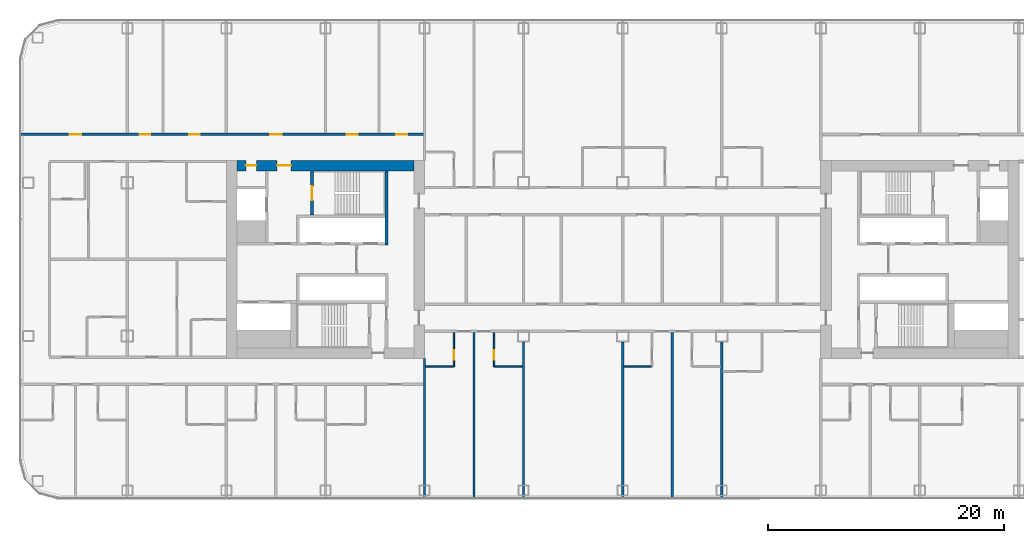
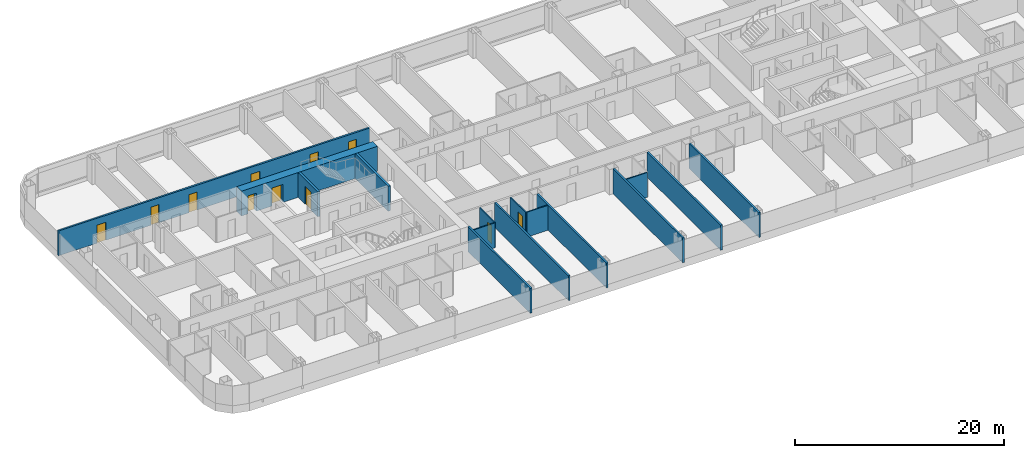
# One storey, part 15 of 29: 15 walls, 11 doors, 11 openings.
"""IFC4 building model written with IfcOpenShell, lengths in metres."""

from ifc_helpers import new_model, si_unit, direction, frame, frame_2d, origin, place, context, subcontext, project, spatial, rectangle, extrude, material, layer, layer_set, type_object, element, fill, save


model = new_model("IFC4")

# Units and contexts
model_context = context("Model", 3, precision=1e-05, world=origin(), true_north=direction((0.0, 1.0)))
body_context = subcontext(model_context, "Body", "Model", "MODEL_VIEW")
ifc_project = project(units=[si_unit("LENGTHUNIT", "METRE"), si_unit("AREAUNIT", "SQUARE_METRE"), si_unit("VOLUMEUNIT", "CUBIC_METRE"), si_unit("PLANEANGLEUNIT", "RADIAN"), si_unit("MASSUNIT", "GRAM", prefix="KILO")], contexts=[model_context])

# Site, building, storey
site_placement = place(None, origin())
site = spatial("IfcSite", under=ifc_project, at=site_placement, CompositionType="ELEMENT")
building_placement = place(site_placement, origin())
building = spatial("IfcBuilding", under=site, at=building_placement, Name="Hakoniwa Tower and Hamabe Station Hall", CompositionType="ELEMENT")
storey_placement = place(building_placement, frame((0.0, 0.0, 61.39990234375)))
storey = spatial("IfcBuildingStorey", under=building, at=storey_placement, Name="L17", CompositionType="ELEMENT", Elevation=61.39990234375)

# Walls
ifc_material_1 = material(Name="Gypsum board partition", Category="gypsum")
ifc_layer_1 = layer(ifc_material_1, 0.125)
ifc_layer_set_1 = layer_set([ifc_layer_1], Name="Bathroom Partition 125")
wall_type_1 = type_object("IfcWallType", Name="Bathroom Partition 125", PredefinedType="PARTITIONING", material=ifc_layer_set_1)
for number, where, z_axis, x_axis, name in (
    (1, (-16.699951171875, -9.10009765625, 0.0), (0.0, 0.0, 1.0), (1.0, 0.0, 0.0), "GW-L17-016"),
    (2, (-10.83740234375, -9.10009765625, 0.0), (0.0, 0.0, 1.0), (1.0, 0.0, 0.0), "GW-L17-017"),
    (3, (0.10009765625, -9.10009765625, 0.0), (0.0, 0.0, 1.0), (1.0, 0.0, 0.0), "GW-L17-018"),
):
    element("IfcWall", number, at=place(storey_placement, frame(where, z_axis=z_axis, x_axis=x_axis)), inside=storey, type_object=wall_type_1, Name=name, PredefinedType="PARTITIONING", context=body_context, shape_type="SweptSolid", body=[
        extrude(rectangle(XDim=2.33740234375, YDim=0.125, at=frame_2d((1.168701171875, 0.0))), origin(), (0.0, 0.0, 1.0), 2.900146484375),
    ])

# Wall, opening, door
wall_1_placement = place(storey_placement, frame((-14.300048828125, -9.10009765625, 0.0), z_axis=(0.0, 0.0, 1.0), x_axis=(0.0, 1.0, 0.0)))
wall_1 = element("IfcWall", 4, at=wall_1_placement, inside=storey, type_object=wall_type_1, Name="GW-L17-070", PredefinedType="PARTITIONING", context=body_context, shape_type="SweptSolid", body=[
    extrude(rectangle(XDim=2.900146484375, YDim=0.125, at=frame_2d((1.4501953125, 0.0))), origin(), (0.0, 0.0, 1.0), 2.900146484375),
])
opening_1_placement = place(wall_1_placement, frame((0.60009765625, 0.0, 0.0)))
opening_1 = element("IfcOpeningElement", 5, at=opening_1_placement, cuts=wall_1, Name="Opening GD-G1D2-69", PredefinedType="OPENING", context=body_context, shape_type="SweptSolid", body=[
    extrude(rectangle(XDim=0.800048828125, YDim=2.10009765625, at=frame_2d((0.39990234375, 1.050048828125))), frame((0.0, 0.072509765625, 0.0), z_axis=(0.0, -1.0, 0.0), x_axis=(1.0, 0.0, 0.0)), (0.0, 0.0, 1.0), 0.14501953125),
])
ifc_material_2 = material(Name="Timber door leaf", Category="wood")
door_type_1 = type_object("IfcDoorType", Name="Bathroom Door 800", OperationType="SINGLE_SWING_LEFT", PredefinedType="DOOR", material=ifc_material_2)
door_1_placement = place(opening_1_placement, origin())
door_1 = element("IfcDoor", 6, at=door_1_placement, inside=storey, type_object=door_type_1, Name="Door GD-G1D2-69", OperationType="SINGLE_SWING_RIGHT", OverallHeight=2.10009765625, OverallWidth=0.800048828125, PredefinedType="DOOR", context=body_context, shape_type="SweptSolid", body=[
    extrude(rectangle(XDim=0.800048828125, YDim=2.10009765625, at=frame_2d((0.39990234375, 1.050048828125))), frame((0.0, 0.02490234375, 0.0), z_axis=(0.0, -1.0, 0.0), x_axis=(1.0, 0.0, 0.0)), (0.0, 0.0, 1.0), 0.050048828125),
])
fill(opening_1, door_1)

wall_2_placement = place(storey_placement, frame((-10.89990234375, -9.10009765625, 0.0), z_axis=(0.0, 0.0, 1.0), x_axis=(0.0, 1.0, 0.0)))
wall_2 = element("IfcWall", 7, at=wall_2_placement, inside=storey, type_object=wall_type_1, Name="GW-L17-075", PredefinedType="PARTITIONING", context=body_context, shape_type="SweptSolid", body=[
    extrude(rectangle(XDim=2.900146484375, YDim=0.125, at=frame_2d((1.4501953125, 0.0))), origin(), (0.0, 0.0, 1.0), 2.900146484375),
])
opening_2_placement = place(wall_2_placement, frame((0.60009765625, 0.0, 0.0)))
opening_2 = element("IfcOpeningElement", 8, at=opening_2_placement, cuts=wall_2, Name="Opening GD-G1D2-71", PredefinedType="OPENING", context=body_context, shape_type="SweptSolid", body=[
    extrude(rectangle(XDim=0.800048828125, YDim=2.10009765625, at=frame_2d((0.39990234375, 1.050048828125))), frame((0.0, 0.072509765625, 0.0), z_axis=(0.0, -1.0, 0.0), x_axis=(1.0, 0.0, 0.0)), (0.0, 0.0, 1.0), 0.14501953125),
])
door_2_placement = place(opening_2_placement, origin())
door_2 = element("IfcDoor", 9, at=door_2_placement, inside=storey, type_object=door_type_1, Name="Door GD-G1D2-71", OperationType="SINGLE_SWING_LEFT", OverallHeight=2.10009765625, OverallWidth=0.800048828125, PredefinedType="DOOR", context=body_context, shape_type="SweptSolid", body=[
    extrude(rectangle(XDim=0.800048828125, YDim=2.10009765625, at=frame_2d((0.39990234375, 1.050048828125))), frame((0.0, 0.02490234375, 0.0), z_axis=(0.0, -1.0, 0.0), x_axis=(1.0, 0.0, 0.0)), (0.0, 0.0, 1.0), 0.050048828125),
])
fill(opening_2, door_2)

# Wall, openings, doors
ifc_material_3 = material(Name="Concrete C80", Category="concrete")
ifc_layer_2 = layer(ifc_material_3, 0.89990234375)
ifc_layer_set_2 = layer_set([ifc_layer_2], Name="CORE WALL 900 C80")
wall_type_2 = type_object("IfcWallType", Name="CORE WALL 900 C80", PredefinedType="SHEAR", material=ifc_layer_set_2)
wall_3_placement = place(storey_placement, frame((-32.699951171875, 7.949951171875, 0.0), z_axis=(0.0, 0.0, 1.0), x_axis=(1.0, 0.0, 0.0)))
wall_3 = element("IfcWall", 10, at=wall_3_placement, inside=storey, type_object=wall_type_2, Name="Core wall NORTH west", PredefinedType="SHEAR", context=body_context, shape_type="SweptSolid", body=[
    extrude(rectangle(XDim=15.0, YDim=0.89990234375, at=frame_2d((7.5, 0.0))), origin(), (0.0, 0.0, 1.0), 2.900146484375),
])
opening_3_placement = place(wall_3_placement, frame((3.39990234375, 0.0, 0.0)))
opening_3 = element("IfcOpeningElement", 11, at=opening_3_placement, cuts=wall_3, Name="Opening CD-W-FN1-12", PredefinedType="OPENING", context=body_context, shape_type="SweptSolid", body=[
    extrude(rectangle(XDim=1.199951171875, YDim=2.10009765625, at=frame_2d((0.60009765625, 1.050048828125))), frame((0.0, 0.4599609375, 0.0), z_axis=(0.0, -1.0, 0.0), x_axis=(1.0, 0.0, 0.0)), (0.0, 0.0, 1.0), 0.919921875),
])
opening_4_placement = place(wall_3_placement, frame((0.75, 0.0, 0.0)))
opening_4 = element("IfcOpeningElement", 12, at=opening_4_placement, cuts=wall_3, Name="Opening CD-W-FN2-9", PredefinedType="OPENING", context=body_context, shape_type="SweptSolid", body=[
    extrude(rectangle(XDim=0.89990234375, YDim=2.10009765625, at=frame_2d((0.449951171875, 1.050048828125))), frame((0.0, 0.4599609375, 0.0), z_axis=(0.0, -1.0, 0.0), x_axis=(1.0, 0.0, 0.0)), (0.0, 0.0, 1.0), 0.919921875),
])
ifc_material_4 = material(Name="Steel fire door", Category="steel")
door_type_2 = type_object("IfcDoorType", Name="CORE DOOR 1200 FD60", OperationType="DOUBLE_DOOR_SINGLE_SWING", PredefinedType="DOOR", material=ifc_material_4)
door_3_placement = place(opening_3_placement, origin())
door_3 = element("IfcDoor", 13, at=door_3_placement, inside=storey, type_object=door_type_2, Name="Stair vestibule door to the fire-fighting lobby", OperationType="DOUBLE_DOOR_SINGLE_SWING", OverallHeight=2.10009765625, OverallWidth=1.199951171875, PredefinedType="DOOR", context=body_context, shape_type="SweptSolid", body=[
    extrude(rectangle(XDim=1.199951171875, YDim=2.10009765625, at=frame_2d((0.60009765625, 1.050048828125))), frame((0.0, 0.02490234375, 0.0), z_axis=(0.0, -1.0, 0.0), x_axis=(1.0, 0.0, 0.0)), (0.0, 0.0, 1.0), 0.050048828125),
])
fill(opening_3, door_3)
ifc_material_5 = material(Name="Steel fire door", Category="steel")
door_type_3 = type_object("IfcDoorType", Name="CORE DOOR 900 FD30", OperationType="NOTDEFINED", PredefinedType="DOOR", material=ifc_material_5)
door_4_placement = place(opening_4_placement, origin())
door_4 = element("IfcDoor", 14, at=door_4_placement, inside=storey, type_object=door_type_3, Name="Riser access door", OperationType="SINGLE_SWING_LEFT", OverallHeight=2.10009765625, OverallWidth=0.89990234375, PredefinedType="DOOR", context=body_context, shape_type="SweptSolid", body=[
    extrude(rectangle(XDim=0.89990234375, YDim=2.10009765625, at=frame_2d((0.449951171875, 1.050048828125))), frame((0.0, 0.02490234375, 0.0), z_axis=(0.0, -1.0, 0.0), x_axis=(1.0, 0.0, 0.0)), (0.0, 0.0, 1.0), 0.050048828125),
])
fill(opening_4, door_4)

# Wall
ifc_material_6 = material(Name="Concrete C80", Category="concrete")
ifc_layer_3 = layer(ifc_material_6, 0.25)
ifc_layer_set_3 = layer_set([ifc_layer_3], Name="CORE WEB WALL 250 C80")
wall_type_3 = type_object("IfcWallType", Name="CORE WEB WALL 250 C80", PredefinedType="SHEAR", material=ifc_layer_set_3)
wall_4_placement = place(storey_placement, frame((-20.02490234375, 1.199951171875, 0.0), z_axis=(0.0, 0.0, 1.0), x_axis=(0.0, 1.0, 0.0)))
element("IfcWall", 15, at=wall_4_placement, inside=storey, type_object=wall_type_3, Name="Core wall W1N west", PredefinedType="SHEAR", context=body_context, shape_type="SweptSolid", body=[
    extrude(rectangle(XDim=6.300048828125, YDim=0.25, at=frame_2d((3.14990234375, 0.0))), origin(), (0.0, 0.0, 1.0), 2.900146484375),
])

# Wall, opening, door
wall_5_placement = place(storey_placement, frame((-26.324951171875, 3.75, 0.0), z_axis=(0.0, 0.0, 1.0), x_axis=(0.0, 1.0, 0.0)))
wall_5 = element("IfcWall", 16, at=wall_5_placement, inside=storey, type_object=wall_type_3, Name="Core wall NSE west", PredefinedType="SHEAR", context=body_context, shape_type="SweptSolid", body=[
    extrude(rectangle(XDim=3.75, YDim=0.25, at=frame_2d((1.875, 0.0))), origin(), (0.0, 0.0, 1.0), 2.900146484375),
])
opening_5_placement = place(wall_5_placement, frame((1.25, 0.0, 0.0)))
opening_5 = element("IfcOpeningElement", 17, at=opening_5_placement, cuts=wall_5, Name="Opening CD-W-SN-12", PredefinedType="OPENING", context=body_context, shape_type="SweptSolid", body=[
    extrude(rectangle(XDim=1.199951171875, YDim=2.10009765625, at=frame_2d((0.60009765625, 1.050048828125))), frame((0.0, 0.135009765625, 0.0), z_axis=(0.0, -1.0, 0.0), x_axis=(1.0, 0.0, 0.0)), (0.0, 0.0, 1.0), 0.27001953125),
])
door_5_placement = place(opening_5_placement, origin())
door_5 = element("IfcDoor", 18, at=door_5_placement, inside=storey, type_object=door_type_2, Name="Escape stair door", OperationType="DOUBLE_DOOR_SINGLE_SWING", OverallHeight=2.10009765625, OverallWidth=1.199951171875, PredefinedType="DOOR", context=body_context, shape_type="SweptSolid", body=[
    extrude(rectangle(XDim=1.199951171875, YDim=2.10009765625, at=frame_2d((0.60009765625, 1.050048828125))), frame((0.0, 0.02490234375, 0.0), z_axis=(0.0, -1.0, 0.0), x_axis=(1.0, 0.0, 0.0)), (0.0, 0.0, 1.0), 0.050048828125),
])
fill(opening_5, door_5)

# Wall, openings, doors
ifc_material_7 = material(Name="Fire-rated gypsum board partition", Category="gypsum")
ifc_layer_4 = layer(ifc_material_7, 0.199951171875)
ifc_layer_set_4 = layer_set([ifc_layer_4], Name="Corridor Wall 200")
wall_type_4 = type_object("IfcWallType", Name="Corridor Wall 200", PredefinedType="PARTITIONING", material=ifc_layer_set_4)
wall_6_placement = place(storey_placement, frame((-51.10009765625, 10.60009765625, 0.0), z_axis=(0.0, 0.0, 1.0), x_axis=(1.0, 0.0, 0.0)))
wall_6 = element("IfcWall", 19, at=wall_6_placement, inside=storey, type_object=wall_type_4, Name="GW-L17-042", PredefinedType="PARTITIONING", context=body_context, shape_type="SweptSolid", body=[
    extrude(rectangle(XDim=34.300048828125, YDim=0.199951171875, at=frame_2d((17.14990234375, 0.0))), origin(), (0.0, 0.0, 1.0), 2.900146484375),
])
opening_6_placement = place(wall_6_placement, frame((4.199951171875, 0.0, 0.0)))
opening_6 = element("IfcOpeningElement", 20, at=opening_6_placement, cuts=wall_6, Name="Opening GD-G1D2-53", PredefinedType="OPENING", context=body_context, shape_type="SweptSolid", body=[
    extrude(rectangle(XDim=1.0, YDim=2.10009765625, at=frame_2d((0.5, 1.050048828125))), frame((0.0, 0.10986328125, 0.0), z_axis=(0.0, -1.0, 0.0), x_axis=(1.0, 0.0, 0.0)), (0.0, 0.0, 1.0), 0.219970703125),
])
opening_7_placement = place(wall_6_placement, frame((10.159912109375, 0.0, 0.0)))
opening_7 = element("IfcOpeningElement", 21, at=opening_7_placement, cuts=wall_6, Name="Opening GD-G1D2-54", PredefinedType="OPENING", context=body_context, shape_type="SweptSolid", body=[
    extrude(rectangle(XDim=0.89990234375, YDim=2.10009765625, at=frame_2d((0.449951171875, 1.050048828125))), frame((0.0, 0.10986328125, 0.0), z_axis=(0.0, -1.0, 0.0), x_axis=(1.0, 0.0, 0.0)), (0.0, 0.0, 1.0), 0.219970703125),
])
opening_8_placement = place(wall_6_placement, frame((14.360107421875, 0.0, 0.0)))
opening_8 = element("IfcOpeningElement", 22, at=opening_8_placement, cuts=wall_6, Name="Opening GD-G1D2-55", PredefinedType="OPENING", context=body_context, shape_type="SweptSolid", body=[
    extrude(rectangle(XDim=0.89990234375, YDim=2.10009765625, at=frame_2d((0.449951171875, 1.050048828125))), frame((0.0, 0.10986328125, 0.0), z_axis=(0.0, -1.0, 0.0), x_axis=(1.0, 0.0, 0.0)), (0.0, 0.0, 1.0), 0.219970703125),
])
opening_9_placement = place(wall_6_placement, frame((21.199951171875, 0.0, 0.0)))
opening_9 = element("IfcOpeningElement", 23, at=opening_9_placement, cuts=wall_6, Name="Opening GD-G1D2-56", PredefinedType="OPENING", context=body_context, shape_type="SweptSolid", body=[
    extrude(rectangle(XDim=1.0, YDim=2.10009765625, at=frame_2d((0.5, 1.050048828125))), frame((0.0, 0.10986328125, 0.0), z_axis=(0.0, -1.0, 0.0), x_axis=(1.0, 0.0, 0.0)), (0.0, 0.0, 1.0), 0.219970703125),
])
opening_10_placement = place(wall_6_placement, frame((27.719970703125, 0.0, 0.0)))
opening_10 = element("IfcOpeningElement", 24, at=opening_10_placement, cuts=wall_6, Name="Opening GD-G1D2-57", PredefinedType="OPENING", context=body_context, shape_type="SweptSolid", body=[
    extrude(rectangle(XDim=0.89990234375, YDim=2.10009765625, at=frame_2d((0.449951171875, 1.050048828125))), frame((0.0, 0.10986328125, 0.0), z_axis=(0.0, -1.0, 0.0), x_axis=(1.0, 0.0, 0.0)), (0.0, 0.0, 1.0), 0.219970703125),
])
opening_11_placement = place(wall_6_placement, frame((31.919921875, 0.0, 0.0)))
opening_11 = element("IfcOpeningElement", 25, at=opening_11_placement, cuts=wall_6, Name="Opening GD-G1D2-58", PredefinedType="OPENING", context=body_context, shape_type="SweptSolid", body=[
    extrude(rectangle(XDim=0.89990234375, YDim=2.10009765625, at=frame_2d((0.449951171875, 1.050048828125))), frame((0.0, 0.10986328125, 0.0), z_axis=(0.0, -1.0, 0.0), x_axis=(1.0, 0.0, 0.0)), (0.0, 0.0, 1.0), 0.219970703125),
])
ifc_material_8 = material(Name="Timber door leaf", Category="wood")
door_type_4 = type_object("IfcDoorType", Name="Guest Entrance Door 1000", OperationType="SINGLE_SWING_LEFT", PredefinedType="DOOR", material=ifc_material_8)
door_6_placement = place(opening_6_placement, origin())
door_6 = element("IfcDoor", 26, at=door_6_placement, inside=storey, type_object=door_type_4, Name="Door GD-G1D2-53", OperationType="SINGLE_SWING_RIGHT", OverallHeight=2.10009765625, OverallWidth=1.0, PredefinedType="DOOR", context=body_context, shape_type="SweptSolid", body=[
    extrude(rectangle(XDim=1.0, YDim=2.10009765625, at=frame_2d((0.5, 1.050048828125))), frame((0.0, 0.02490234375, 0.0), z_axis=(0.0, -1.0, 0.0), x_axis=(1.0, 0.0, 0.0)), (0.0, 0.0, 1.0), 0.050048828125),
])
fill(opening_6, door_6)
door_7_placement = place(opening_9_placement, origin())
door_7 = element("IfcDoor", 27, at=door_7_placement, inside=storey, type_object=door_type_4, Name="Door GD-G1D2-56", OperationType="SINGLE_SWING_LEFT", OverallHeight=2.10009765625, OverallWidth=1.0, PredefinedType="DOOR", context=body_context, shape_type="SweptSolid", body=[
    extrude(rectangle(XDim=1.0, YDim=2.10009765625, at=frame_2d((0.5, 1.050048828125))), frame((0.0, 0.02490234375, 0.0), z_axis=(0.0, -1.0, 0.0), x_axis=(1.0, 0.0, 0.0)), (0.0, 0.0, 1.0), 0.050048828125),
])
fill(opening_9, door_7)
ifc_material_9 = material(Name="Timber door leaf", Category="wood")
door_type_5 = type_object("IfcDoorType", Name="Service Door 900", OperationType="SINGLE_SWING_LEFT", PredefinedType="DOOR", material=ifc_material_9)
door_8_placement = place(opening_7_placement, origin())
door_8 = element("IfcDoor", 28, at=door_8_placement, inside=storey, type_object=door_type_5, Name="Door GD-G1D2-54", OperationType="SINGLE_SWING_LEFT", OverallHeight=2.10009765625, OverallWidth=0.89990234375, PredefinedType="DOOR", context=body_context, shape_type="SweptSolid", body=[
    extrude(rectangle(XDim=0.89990234375, YDim=2.10009765625, at=frame_2d((0.449951171875, 1.050048828125))), frame((0.0, 0.02490234375, 0.0), z_axis=(0.0, -1.0, 0.0), x_axis=(1.0, 0.0, 0.0)), (0.0, 0.0, 1.0), 0.050048828125),
])
fill(opening_7, door_8)
door_9_placement = place(opening_8_placement, origin())
door_9 = element("IfcDoor", 29, at=door_9_placement, inside=storey, type_object=door_type_5, Name="Door GD-G1D2-55", OperationType="SINGLE_SWING_RIGHT", OverallHeight=2.10009765625, OverallWidth=0.89990234375, PredefinedType="DOOR", context=body_context, shape_type="SweptSolid", body=[
    extrude(rectangle(XDim=0.89990234375, YDim=2.10009765625, at=frame_2d((0.449951171875, 1.050048828125))), frame((0.0, 0.02490234375, 0.0), z_axis=(0.0, -1.0, 0.0), x_axis=(1.0, 0.0, 0.0)), (0.0, 0.0, 1.0), 0.050048828125),
])
fill(opening_8, door_9)
door_10_placement = place(opening_10_placement, origin())
door_10 = element("IfcDoor", 30, at=door_10_placement, inside=storey, type_object=door_type_5, Name="Door GD-G1D2-57", OperationType="SINGLE_SWING_RIGHT", OverallHeight=2.10009765625, OverallWidth=0.89990234375, PredefinedType="DOOR", context=body_context, shape_type="SweptSolid", body=[
    extrude(rectangle(XDim=0.89990234375, YDim=2.10009765625, at=frame_2d((0.449951171875, 1.050048828125))), frame((0.0, 0.02490234375, 0.0), z_axis=(0.0, -1.0, 0.0), x_axis=(1.0, 0.0, 0.0)), (0.0, 0.0, 1.0), 0.050048828125),
])
fill(opening_10, door_10)
door_11_placement = place(opening_11_placement, origin())
door_11 = element("IfcDoor", 31, at=door_11_placement, inside=storey, type_object=door_type_5, Name="Door GD-G1D2-58", OperationType="SINGLE_SWING_LEFT", OverallHeight=2.10009765625, OverallWidth=0.89990234375, PredefinedType="DOOR", context=body_context, shape_type="SweptSolid", body=[
    extrude(rectangle(XDim=0.89990234375, YDim=2.10009765625, at=frame_2d((0.449951171875, 1.050048828125))), frame((0.0, 0.02490234375, 0.0), z_axis=(0.0, -1.0, 0.0), x_axis=(1.0, 0.0, 0.0)), (0.0, 0.0, 1.0), 0.050048828125),
])
fill(opening_11, door_11)

# Walls
ifc_material_10 = material(Name="Fire-rated gypsum board partition", Category="gypsum")
ifc_layer_5 = layer(ifc_material_10, 0.199951171875)
ifc_layer_set_5 = layer_set([ifc_layer_5], Name="Party Wall 200")
wall_type_5 = type_object("IfcWallType", Name="Party Wall 200", PredefinedType="PARTITIONING", material=ifc_layer_set_5)
wall_7_placement = place(storey_placement, frame((-16.800048828125, -20.300048828125, 0.0), z_axis=(0.0, 0.0, 1.0), x_axis=(0.0, 1.0, 0.0)))
element("IfcWall", 32, at=wall_7_placement, inside=storey, type_object=wall_type_5, Name="GW-L17-068", PredefinedType="PARTITIONING", context=body_context, shape_type="SweptSolid", body=[
    extrude(rectangle(XDim=11.91015625, YDim=0.199951171875, at=frame_2d((5.955078125, 0.0))), origin(), (0.0, 0.0, 1.0), 2.900146484375),
])
wall_8_placement = place(storey_placement, frame((-12.60009765625, -20.300048828125, 0.0), z_axis=(0.0, 0.0, 1.0), x_axis=(0.0, 1.0, 0.0)))
element("IfcWall", 33, at=wall_8_placement, inside=storey, type_object=wall_type_5, Name="GW-L17-073", PredefinedType="PARTITIONING", context=body_context, shape_type="SweptSolid", body=[
    extrude(rectangle(XDim=14.10009765625, YDim=0.199951171875, at=frame_2d((7.050048828125, 0.0))), origin(), (0.0, 0.0, 1.0), 2.900146484375),
])
for number, where, z_axis, x_axis, name in (
    (34, (-8.39990234375, -20.300048828125, 0.0), (0.0, 0.0, 1.0), (0.0, 1.0, 0.0), "GW-L17-077"),
    (35, (0.0, -20.300048828125, 0.0), (0.0, 0.0, 1.0), (0.0, 1.0, 0.0), "GW-L17-082"),
):
    element("IfcWall", number, at=place(storey_placement, frame(where, z_axis=z_axis, x_axis=x_axis)), inside=storey, type_object=wall_type_5, Name=name, PredefinedType="PARTITIONING", context=body_context, shape_type="SweptSolid", body=[
        extrude(rectangle(XDim=13.31005859375, YDim=0.199951171875, at=frame_2d((6.655029296875, 0.0))), origin(), (0.0, 0.0, 1.0), 2.900146484375),
    ])
wall_9_placement = place(storey_placement, frame((4.199951171875, -20.300048828125, 0.0), z_axis=(0.0, 0.0, 1.0), x_axis=(0.0, 1.0, 0.0)))
element("IfcWall", 36, at=wall_9_placement, inside=storey, type_object=wall_type_5, Name="GW-L17-088", PredefinedType="PARTITIONING", context=body_context, shape_type="SweptSolid", body=[
    extrude(rectangle(XDim=14.10009765625, YDim=0.199951171875, at=frame_2d((7.050048828125, 0.0))), origin(), (0.0, 0.0, 1.0), 2.900146484375),
])
wall_10_placement = place(storey_placement, frame((8.39990234375, -20.300048828125, 0.0), z_axis=(0.0, 0.0, 1.0), x_axis=(0.0, 1.0, 0.0)))
element("IfcWall", 37, at=wall_10_placement, inside=storey, type_object=wall_type_5, Name="GW-L17-090", PredefinedType="PARTITIONING", context=body_context, shape_type="SweptSolid", body=[
    extrude(rectangle(XDim=13.31005859375, YDim=0.199951171875, at=frame_2d((6.655029296875, 0.0))), origin(), (0.0, 0.0, 1.0), 2.900146484375),
])

save(model, "model.ifc")
